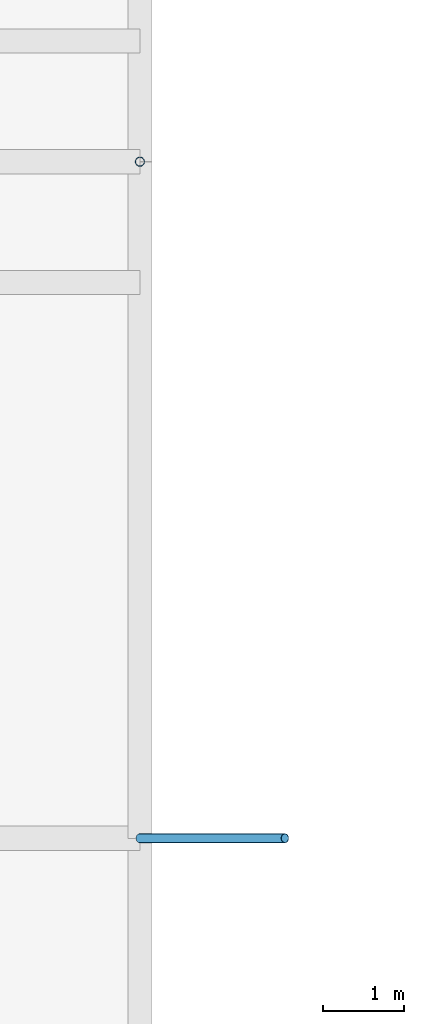
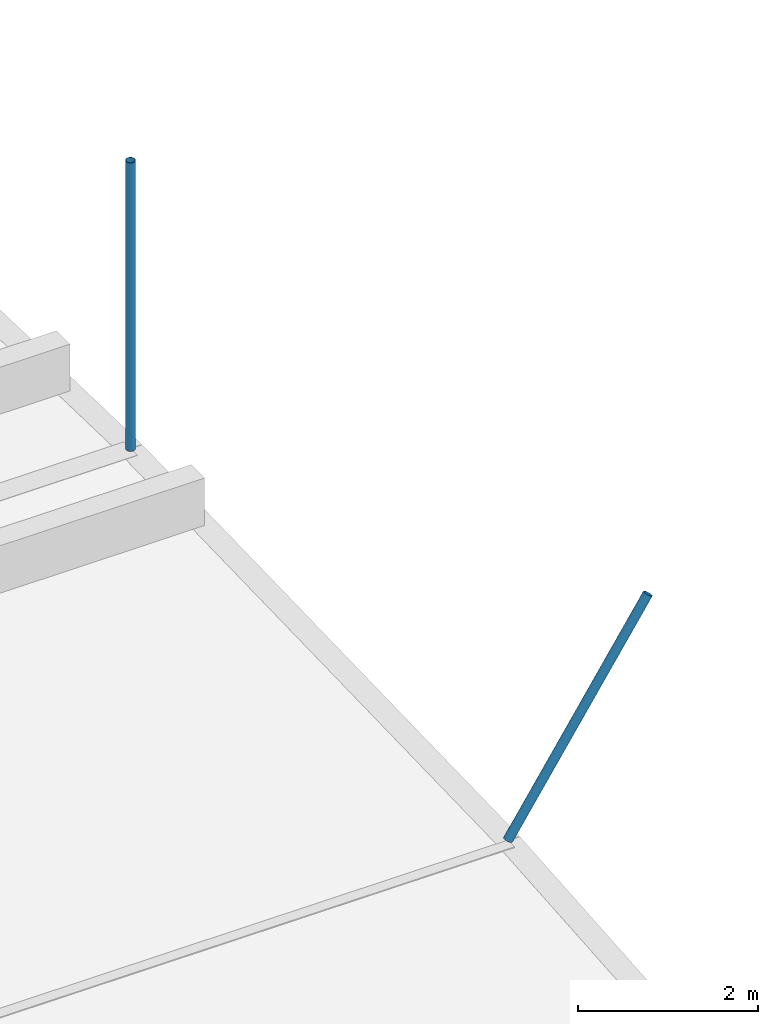
# One storey, part 26 of 37: 2 discrete accessories.
"""IFC4 building model written with IfcOpenShell, lengths in metres."""

from ifc_helpers import new_model, si_unit, direction, frame, origin, origin_2d, place, context, subcontext, project, spatial, hollow_circle, extrude, material, material_profile, profile_set, type_object, element, save


model = new_model("IFC4")

# Units and contexts
model_context = context("Model", 3, precision=1e-05, world=origin(), true_north=direction((0.0, 1.0)))
body_context = subcontext(model_context, "Body", "Model", "MODEL_VIEW")
ifc_project = project(units=[si_unit("LENGTHUNIT", "METRE"), si_unit("AREAUNIT", "SQUARE_METRE"), si_unit("VOLUMEUNIT", "CUBIC_METRE"), si_unit("PLANEANGLEUNIT", "RADIAN"), si_unit("MASSUNIT", "GRAM", prefix="KILO")], contexts=[model_context])

# Site, building, storey
site_placement = place(None, origin())
site = spatial("IfcSite", under=ifc_project, at=site_placement, CompositionType="ELEMENT")
building_placement = place(site_placement, origin())
building = spatial("IfcBuilding", under=site, at=building_placement, Name="Rain Tree Exposition and Congress Centre", CompositionType="ELEMENT")
storey_placement = place(building_placement, frame((0.0, 0.0, 25.0)))
storey = spatial("IfcBuildingStorey", under=building, at=storey_placement, Name="ROOF VAULT LOW", CompositionType="ELEMENT", Elevation=25.0)

# Discrete accessories
ifc_material = material(Name="Steel S355J2H", Category="steel")
ifc_material_profile = material_profile(ifc_material, hollow_circle(Radius=0.05712890625, WallThickness=0.00439453125, at=origin_2d()), Name="CHS 114x4.5")
ifc_profile_set = profile_set([ifc_material_profile], Name="Steel S355J2H")
discrete_accessory_type = type_object("IfcDiscreteAccessoryType", Name="Roof skin post CHS 114x4.5", PredefinedType="BRACKET", material=ifc_profile_set)
discrete_accessory_1_placement = place(storey_placement, frame((126.0, 142.800048828125, 1.1728515625), z_axis=(0.551881445564, 0.0, 0.833922580365), x_axis=(0.0, 1.0, 0.0)))
element("IfcDiscreteAccessory", 1, at=discrete_accessory_1_placement, inside=storey, type_object=discrete_accessory_type, Name="Roof skin post A90", PredefinedType="BRACKET", context=body_context, shape_type="SweptSolid", body=[
    extrude(hollow_circle(Radius=0.05712890625, WallThickness=0.00439453125, at=origin_2d()), origin(), (0.0, 0.0, 1.0), 3.26171875),
])
discrete_accessory_2_placement = place(storey_placement, frame((126.0, 151.199951171875, 1.39990234375), z_axis=(0.0, 0.0, 1.0), x_axis=(1.0, 0.0, 0.0)))
element("IfcDiscreteAccessory", 2, at=discrete_accessory_2_placement, inside=storey, type_object=discrete_accessory_type, Name="Roof skin post A105", PredefinedType="BRACKET", context=body_context, shape_type="SweptSolid", body=[
    extrude(hollow_circle(Radius=0.05712890625, WallThickness=0.00439453125, at=origin_2d()), origin(), (0.0, 0.0, 1.0), 3.920166015625),
])

save(model, "model.ifc")
